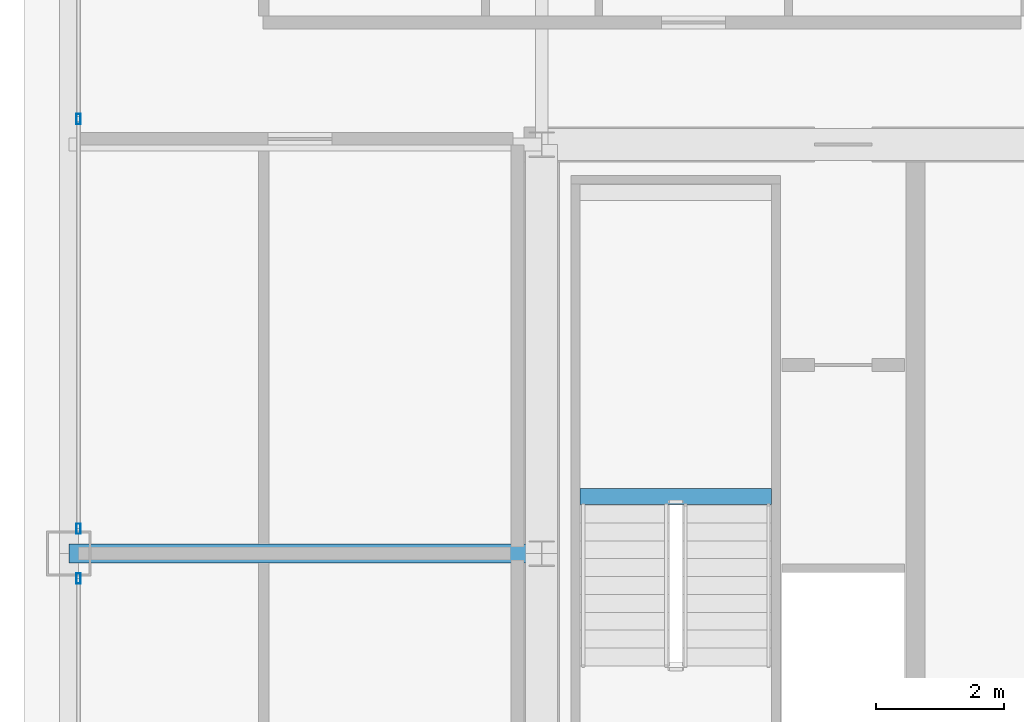
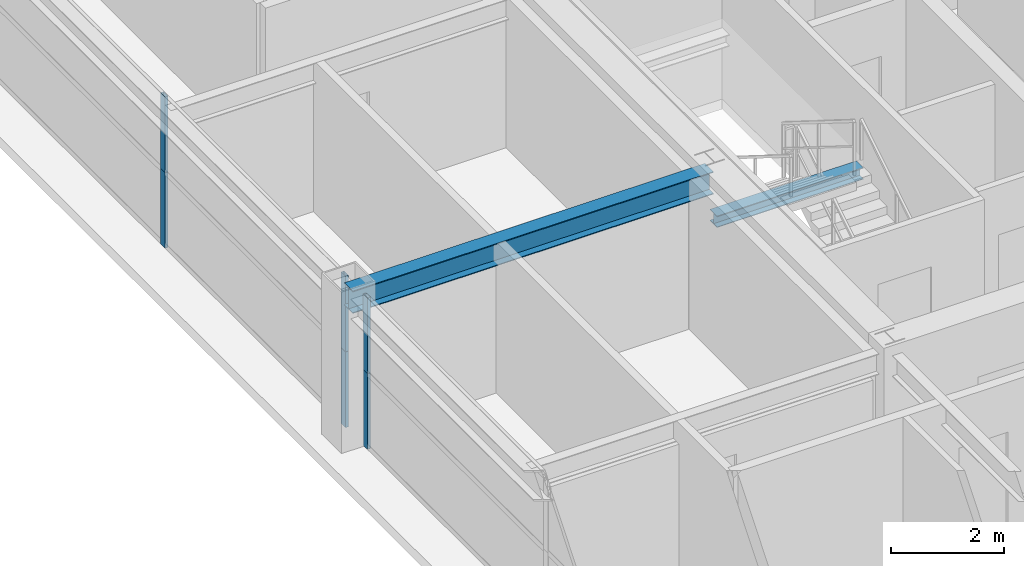
# One storey, part 13 of 37: 6 members, 2 beams, 2 elements without a shape of their own.
"""IFC4 building model written with IfcOpenShell, lengths in metres."""

import ifcopenshell
import ifcopenshell.guid

model = None  # the IFC model being written
_history = None  # IfcOwnerHistory: only IFC2X3 demands one
_inside = {}  # id of a spatial element -> (the spatial element, [elements in it])
_under = {}  # id of a project, library or spatial element -> (it, [spatial elements below it])
_declared = {}  # id of a project -> (the project, [libraries it declares])
_typed = {}  # id of a type object -> (the type object, [elements of that type])
_made_of = {}  # id of a material, layer set ... -> (it, [elements and type objects made of it])


def new_model(schema):
    """Start an empty IFC model of exactly this schema.

    Asked for "IFC4X3", IfcOpenShell would pick the latest addendum, in which some entities
    have other attributes; the version numbers below select the first issue.
    IFC2X3 requires an IfcOwnerHistory on every rooted entity: one is made here for all.
    """
    global model, _history
    if schema == "IFC4X3":
        model = ifcopenshell.file(schema_version=(4, 3, 0, 0))
    else:
        model = ifcopenshell.file(schema=schema)
    _inside.clear()
    _under.clear()
    _declared.clear()
    _typed.clear()
    _made_of.clear()
    _history = None
    if model.schema == "IFC2X3":
        org = make("IfcOrganization", Name="unknown")
        user = make(
            "IfcPersonAndOrganization",
            ThePerson=make("IfcPerson", FamilyName="unknown"),
            TheOrganization=org,
        )
        app = make(
            "IfcApplication",
            ApplicationDeveloper=org,
            Version="unknown",
            ApplicationFullName="unknown",
            ApplicationIdentifier="unknown",
        )
        _history = make(
            "IfcOwnerHistory",
            OwningUser=user,
            OwningApplication=app,
            ChangeAction="ADDED",
            CreationDate=0,
        )
    return model


def make(cls, **values):
    """One entity of the class cls with the attributes given. An attribute that is None is left unset."""
    return model.create_entity(
        cls, **{name: value for name, value in values.items() if value is not None}
    )


def rooted(cls, **values):
    """An entity with a GlobalId (a new one), such as an element, a storey or a relation."""
    return make(cls, GlobalId=ifcopenshell.guid.new(), OwnerHistory=_history, **values)


def si_unit(unit_type, name, prefix=None):
    """IfcSIUnit, for example si_unit("LENGTHUNIT", "METRE", prefix="MILLI")."""
    return make("IfcSIUnit", UnitType=unit_type, Prefix=prefix, Name=name)


def assignment(units):
    """IfcUnitAssignment: the units of a project."""
    return None if units is None else make("IfcUnitAssignment", Units=units)


def point(xyz):
    """IfcCartesianPoint."""
    return None if xyz is None else make("IfcCartesianPoint", Coordinates=xyz)


def direction(xyz):
    """IfcDirection."""
    return None if xyz is None else make("IfcDirection", DirectionRatios=xyz)


def frame(location, z_axis=None, x_axis=None):
    """IfcAxis2Placement3D, a coordinate frame: its origin and axes. An axis left out is left unset."""
    return make(
        "IfcAxis2Placement3D",
        Location=point(location),
        Axis=direction(z_axis),
        RefDirection=direction(x_axis),
    )


def frame_2d(location, x_axis=None):
    """IfcAxis2Placement2D, a coordinate frame in the plane: its origin and x axis."""
    return make(
        "IfcAxis2Placement2D", Location=point(location), RefDirection=direction(x_axis)
    )


def origin():
    """The frame at (0, 0, 0) with its axes left unset."""
    return frame((0.0, 0.0, 0.0))


def origin_2d():
    """The frame at (0, 0) in the plane with its x axis left unset."""
    return frame_2d((0.0, 0.0))


def place(relative_to, where):
    """IfcLocalPlacement: puts the frame where relative to a parent placement (None: the world)."""
    return make(
        "IfcLocalPlacement", PlacementRelTo=relative_to, RelativePlacement=where
    )


def context(
    kind, dimensions, precision=None, world=None, true_north=None, identifier=None
):
    """IfcGeometricRepresentationContext, for example the 3D "Model" context."""
    return make(
        "IfcGeometricRepresentationContext",
        ContextIdentifier=identifier,
        ContextType=kind,
        CoordinateSpaceDimension=dimensions,
        Precision=precision,
        WorldCoordinateSystem=world,
        TrueNorth=true_north,
    )


def subcontext(parent, identifier, kind, view, scale=None):
    """IfcGeometricRepresentationSubContext, for example "Body" below "Model"."""
    return make(
        "IfcGeometricRepresentationSubContext",
        ContextIdentifier=identifier,
        ContextType=kind,
        ParentContext=parent,
        TargetScale=scale,
        TargetView=view,
    )


def project(units=None, contexts=None):
    """IfcProject with its units and contexts."""
    return rooted(
        "IfcProject",
        Name="project",
        RepresentationContexts=contexts,
        UnitsInContext=assignment(units),
    )


def spatial(cls, under=None, at=None, **own):
    """A site, building, storey or space (cls), placed at a placement, below another one or the project."""
    s = rooted(cls, ObjectPlacement=at, **own)
    if under is not None:
        _under.setdefault(under.id(), (under, []))[1].append(s)
    return s


def profile(cls, at=None, kind="AREA", **sizes):
    """A parametric profile (cls). Its sizes go by their IFC names, for example OverallWidth=200.0."""
    return make(cls, ProfileType=kind, Position=at, **sizes)


def hollow_rectangle(**sizes):
    """IfcRectangleHollowProfileDef."""
    return profile("IfcRectangleHollowProfileDef", **sizes)


def i_section(**sizes):
    """IfcIShapeProfileDef."""
    return profile("IfcIShapeProfileDef", **sizes)


def extrude(swept, where, along, depth):
    """IfcExtrudedAreaSolid: the profile swept, set in the frame where, extruded along a direction by depth."""
    return make(
        "IfcExtrudedAreaSolid",
        SweptArea=swept,
        Position=where,
        ExtrudedDirection=direction(along),
        Depth=depth,
    )


def shape(context_of_items, identifier, shape_type, items):
    """IfcShapeRepresentation: the items that make up one representation, for example the "Body"."""
    return make(
        "IfcShapeRepresentation",
        ContextOfItems=context_of_items,
        RepresentationIdentifier=identifier,
        RepresentationType=shape_type,
        Items=items,
    )


def source(mapping_origin, context_of_items, identifier, shape_type, items):
    """IfcRepresentationMap: a shape defined once, which mapped items show again and again."""
    return make(
        "IfcRepresentationMap",
        MappingOrigin=mapping_origin,
        MappedRepresentation=shape(context_of_items, identifier, shape_type, items),
    )


def transform(
    local_origin,
    x_axis=None,
    y_axis=None,
    z_axis=None,
    scale=None,
    scale2=None,
    scale3=None,
    uniform=True,
):
    """IfcCartesianTransformationOperator3D, or its non-uniform kind. x_axis, y_axis, z_axis: its Axis1, 2, 3."""
    if uniform:
        return make(
            "IfcCartesianTransformationOperator3D",
            Axis1=direction(x_axis),
            Axis2=direction(y_axis),
            LocalOrigin=point(local_origin),
            Scale=scale,
            Axis3=direction(z_axis),
        )
    return make(
        "IfcCartesianTransformationOperator3DnonUniform",
        Axis1=direction(x_axis),
        Axis2=direction(y_axis),
        LocalOrigin=point(local_origin),
        Scale=scale,
        Axis3=direction(z_axis),
        Scale2=scale2,
        Scale3=scale3,
    )


def mapped(mapping_source, mapping_target):
    """IfcMappedItem: shows the shape of a source again, moved by a transform."""
    return make(
        "IfcMappedItem", MappingSource=mapping_source, MappingTarget=mapping_target
    )


def material(Name=None, Category=None):
    """IfcMaterial."""
    return make("IfcMaterial", Name=Name, Category=Category)


def layer(
    of_material, thickness, ventilated=None, Name=None, Category=None, Priority=None
):
    """IfcMaterialLayer: one layer of a wall or slab, of a material (None: an air gap)."""
    return make(
        "IfcMaterialLayer",
        Material=of_material,
        LayerThickness=thickness,
        IsVentilated=ventilated,
        Name=Name,
        Category=Category,
        Priority=Priority,
    )


def layer_set(layers, Name=None):
    """IfcMaterialLayerSet."""
    return make("IfcMaterialLayerSet", MaterialLayers=layers, LayerSetName=Name)


def material_profile(
    of_material, cross_section, Name=None, Category=None, Priority=None
):
    """IfcMaterialProfile: a cross section and its material."""
    return make(
        "IfcMaterialProfile",
        Name=Name,
        Material=of_material,
        Profile=cross_section,
        Priority=Priority,
        Category=Category,
    )


def profile_set(profiles, Name=None, composite=None):
    """IfcMaterialProfileSet."""
    return make(
        "IfcMaterialProfileSet",
        Name=Name,
        MaterialProfiles=profiles,
        CompositeProfile=composite,
    )


def made_of(thing, what):
    """Note that an element or type object is made of a material, layer set ...; save() writes the relation."""
    if what is not None:
        _made_of.setdefault(what.id(), (what, []))[1].append(thing)
    return thing


def type_object(cls, material=None, **own):
    """A type object (cls), such as IfcWallType, which elements share."""
    return made_of(rooted(cls, **own), material)


def element(
    cls,
    number,
    at=None,
    inside=None,
    cuts=None,
    type_object=None,
    material=None,
    context=None,
    identifier="Body",
    shape_type=None,
    held_by="IfcProductDefinitionShape",
    body=None,
    shapes=None,
    **own,
):
    """One element of the class cls, such as IfcWall. Its Tag is "e" and its number.

    at: its placement. inside: the storey or other place that contains it. cuts: it is an
    opening in that element (IfcRelVoidsElement). A single representation is given by context,
    identifier, shape_type and body (its items); several are given by shapes. held_by: the class
    of the entity that holds the representations. save() writes the other relations.
    """
    e = rooted(cls, Tag="e%d" % number, ObjectPlacement=at, **own)
    if body is not None:
        shapes = [shape(context, identifier, shape_type, body)]
    if shapes is not None:
        e.Representation = make(held_by, Representations=shapes)
    if inside is not None:
        _inside.setdefault(inside.id(), (inside, []))[1].append(e)
    if cuts is not None:
        rooted(
            "IfcRelVoidsElement", RelatingBuildingElement=cuts, RelatedOpeningElement=e
        )
    if type_object is not None:
        _typed.setdefault(type_object.id(), (type_object, []))[1].append(e)
    return made_of(e, material)


def aggregate(whole, parts):
    """IfcRelAggregates: a whole, such as a stair, and the parts it consists of."""
    return rooted("IfcRelAggregates", RelatingObject=whole, RelatedObjects=parts)


def save(model, path):
    """Write the relations noted so far, then the file.

    IfcRelAggregates (storeys below a building ...), IfcRelContainedInSpatialStructure (elements
    in a storey), IfcRelDefinesByType, IfcRelAssociatesMaterial and IfcRelDeclares: one each for
    every whole, place, type object, material and project.
    """
    for whole, parts in _under.values():
        aggregate(whole, parts)
    for where, things in _inside.values():
        rooted(
            "IfcRelContainedInSpatialStructure",
            RelatedElements=things,
            RelatingStructure=where,
        )
    for kind, things in _typed.values():
        rooted("IfcRelDefinesByType", RelatedObjects=things, RelatingType=kind)
    for what, things in _made_of.values():
        rooted("IfcRelAssociatesMaterial", RelatedObjects=things, RelatingMaterial=what)
    for by, libraries in _declared.values():
        rooted("IfcRelDeclares", RelatingContext=by, RelatedDefinitions=libraries)
    model.write(path)


model = new_model("IFC4")

# Units and contexts
model_context = context("Model", 3, precision=1e-05, world=origin(), true_north=direction((0.0, 1.0)))
body_context = subcontext(model_context, "Body", "Model", "MODEL_VIEW")
ifc_project = project(units=[si_unit("LENGTHUNIT", "METRE"), si_unit("AREAUNIT", "SQUARE_METRE"), si_unit("VOLUMEUNIT", "CUBIC_METRE"), si_unit("PLANEANGLEUNIT", "RADIAN"), si_unit("MASSUNIT", "GRAM", prefix="KILO"), si_unit("THERMODYNAMICTEMPERATUREUNIT", "KELVIN"), si_unit("POWERUNIT", "WATT")], contexts=[model_context])

# Site, building, storey
site_placement = place(None, origin())
site = spatial("IfcSite", under=ifc_project, at=site_placement, CompositionType="ELEMENT")
building_placement = place(site_placement, origin())
building = spatial("IfcBuilding", under=site, at=building_placement, Name="Yuzanri Waterfront Tower", CompositionType="ELEMENT")
storey_placement = place(building_placement, frame((0.0, 0.0, 245.10009765625)))
storey = spatial("IfcBuildingStorey", under=building, at=storey_placement, Name="L65", CompositionType="ELEMENT", Elevation=245.10009765625)

# Beam
ifc_material_1 = material(Name="Steel Q355B", Category="steel")
ifc_material_profile_1 = material_profile(ifc_material_1, i_section(OverallWidth=0.300048828125, OverallDepth=0.488037109375, WebThickness=0.010986328125, FlangeThickness=0.01806640625, at=origin_2d()), Name="HM 488x300x11x18")
ifc_profile_set_1 = profile_set([ifc_material_profile_1], Name="Steel Q355B")
beam_type_1 = type_object("IfcBeamType", Name="Primary Floor Girder Q355B HM 488x300", PredefinedType="BEAM", material=ifc_profile_set_1)
shared_shape_1 = source(origin(), body_context, "Body", "SweptSolid", [
    extrude(i_section(OverallWidth=0.300048828125, OverallDepth=0.488037109375, WebThickness=0.010986328125, FlangeThickness=0.01806640625, at=origin_2d()), origin(), (0.0, 0.0, 1.0), 7.400146484375),
])
beam_1_placement = place(storey_placement, frame((23.800048828125, 25.800048828125, 3.035888671875), z_axis=(-1.0, 0.0, 0.0), x_axis=(0.0, -1.0, 0.0)))
element("IfcBeam", 1, at=beam_1_placement, inside=storey, type_object=beam_type_1, Name="L65 West Grid Girder", PredefinedType="BEAM", context=body_context, shape_type="MappedRepresentation", body=[
    mapped(shared_shape_1, transform((0.0, 0.0, 0.0), scale=1.0)),
])

# Curtain wall, members
ifc_material_2 = material(Name="Anodized Architectural Bronze", Category="metal")
ifc_layer = layer(ifc_material_2, 0.159912109375)
ifc_layer_set = layer_set([ifc_layer], Name="Anodized Architectural Bronze")
curtain_wall_type = type_object("IfcCurtainWallType", Name="Anodized Bronze Mid-Rise Residential Acoustic Unitized Curtain Wall 7200", PredefinedType="NOTDEFINED", material=ifc_layer_set)
curtain_wall_1_placement = place(storey_placement, origin())
curtain_wall_1 = element("IfcCurtainWall", 2, at=curtain_wall_1_placement, inside=storey, type_object=curtain_wall_type, Name="L65 Curtain Wall CW-L65-WL", PredefinedType="NOTDEFINED")
ifc_material_3 = material(Name="Anodized Architectural Bronze", Category="metal")
ifc_material_profile_2 = material_profile(ifc_material_3, hollow_rectangle(XDim=0.06494140625, YDim=0.159912109375, WallThickness=0.00341796875, at=origin_2d()), Name="CWM 65x160")
ifc_profile_set_2 = profile_set([ifc_material_profile_2], Name="Anodized Architectural Bronze")
member_type = type_object("IfcMemberType", Name="Anodized Bronze Upper-Zone Curtain-Wall Mullion 65x160", PredefinedType="MULLION", material=ifc_profile_set_2)
shared_shape_2 = source(origin(), body_context, "Body", "SweptSolid", [
    extrude(hollow_rectangle(XDim=0.06494140625, YDim=0.159912109375, WallThickness=0.00341796875, at=origin_2d()), origin(), (0.0, 0.0, 1.0), 1.637939453125),
])
member_1_placement = place(storey_placement, frame((16.550048828125, 25.409912109375, 0.0), z_axis=(0.0, 0.0, 1.0), x_axis=(1.0, 0.0, 0.0)))
member_1 = element("IfcMember", 3, at=member_1_placement, type_object=member_type, Name="CW-L65-WL Lower Mullion 02", PredefinedType="MULLION", context=body_context, shape_type="MappedRepresentation", body=[
    mapped(shared_shape_2, transform((0.0, 0.0, 0.0), scale=1.0)),
])
member_2_placement = place(storey_placement, frame((16.550048828125, 25.409912109375, 1.641845703125), z_axis=(0.0, 0.0, 1.0), x_axis=(1.0, 0.0, 0.0)))
member_2 = element("IfcMember", 4, at=member_2_placement, type_object=member_type, Name="CW-L65-WL Upper Mullion 02", PredefinedType="MULLION", context=body_context, shape_type="MappedRepresentation", body=[
    mapped(shared_shape_2, transform((0.0, 0.0, 0.0), scale=1.0)),
])
aggregate(curtain_wall_1, [member_1, member_2])

curtain_wall_2_placement = place(storey_placement, origin())
curtain_wall_2 = element("IfcCurtainWall", 5, at=curtain_wall_2_placement, inside=storey, type_object=curtain_wall_type, Name="L65 Curtain Wall CW-L65-WR", PredefinedType="NOTDEFINED")
member_3_placement = place(storey_placement, frame((16.550048828125, 26.18994140625, 0.0), z_axis=(0.0, 0.0, 1.0), x_axis=(1.0, 0.0, 0.0)))
member_3 = element("IfcMember", 6, at=member_3_placement, type_object=member_type, Name="CW-L65-WR Lower Mullion 00", PredefinedType="MULLION", context=body_context, shape_type="MappedRepresentation", body=[
    mapped(shared_shape_2, transform((0.0, 0.0, 0.0), scale=1.0)),
])
member_4_placement = place(storey_placement, frame((16.550048828125, 26.18994140625, 1.641845703125), z_axis=(0.0, 0.0, 1.0), x_axis=(1.0, 0.0, 0.0)))
member_4 = element("IfcMember", 7, at=member_4_placement, type_object=member_type, Name="CW-L65-WR Upper Mullion 00", PredefinedType="MULLION", context=body_context, shape_type="MappedRepresentation", body=[
    mapped(shared_shape_2, transform((0.0, 0.0, 0.0), scale=1.0)),
])
member_5_placement = place(storey_placement, frame((16.550048828125, 32.60009765625, 0.0), z_axis=(0.0, 0.0, 1.0), x_axis=(1.0, 0.0, 0.0)))
member_5 = element("IfcMember", 8, at=member_5_placement, type_object=member_type, Name="CW-L65-WR Lower Mullion 01", PredefinedType="MULLION", context=body_context, shape_type="MappedRepresentation", body=[
    mapped(shared_shape_2, transform((0.0, 0.0, 0.0), scale=1.0)),
])
member_6_placement = place(storey_placement, frame((16.550048828125, 32.60009765625, 1.641845703125), z_axis=(0.0, 0.0, 1.0), x_axis=(1.0, 0.0, 0.0)))
member_6 = element("IfcMember", 9, at=member_6_placement, type_object=member_type, Name="CW-L65-WR Upper Mullion 01", PredefinedType="MULLION", context=body_context, shape_type="MappedRepresentation", body=[
    mapped(shared_shape_2, transform((0.0, 0.0, 0.0), scale=1.0)),
])
aggregate(curtain_wall_2, [member_3, member_4, member_5, member_6])

# Beam
ifc_material_4 = material(Name="Steel Q355B", Category="steel")
ifc_material_profile_3 = material_profile(ifc_material_4, i_section(OverallWidth=0.25, OverallDepth=0.25, WebThickness=0.009033203125, FlangeThickness=0.013916015625, at=origin_2d()), Name="HW 250x250x9x14")
ifc_profile_set_3 = profile_set([ifc_material_profile_3], Name="Steel Q355B")
beam_type_2 = type_object("IfcBeamType", Name="Stair Landing Support Beam Q355B HW 250x250", PredefinedType="BEAM", material=ifc_profile_set_3)
shared_shape_3 = source(origin(), body_context, "Body", "SweptSolid", [
    extrude(i_section(OverallWidth=0.25, OverallDepth=0.25, WebThickness=0.009033203125, FlangeThickness=0.013916015625, at=origin_2d()), origin(), (0.0, 0.0, 1.0), 3.0),
])
beam_2_placement = place(storey_placement, frame((24.39990234375, 26.68994140625, 1.4248046875), z_axis=(1.0, 0.0, 0.0), x_axis=(0.0, 1.0, 0.0)))
element("IfcBeam", 10, at=beam_2_placement, inside=storey, type_object=beam_type_2, Name="L65 Stair Landing Support Beam ST-01-L65-L1-1", PredefinedType="BEAM", context=body_context, shape_type="MappedRepresentation", body=[
    mapped(shared_shape_3, transform((0.0, 0.0, 0.0), scale=1.0)),
])

save(model, "model.ifc")
